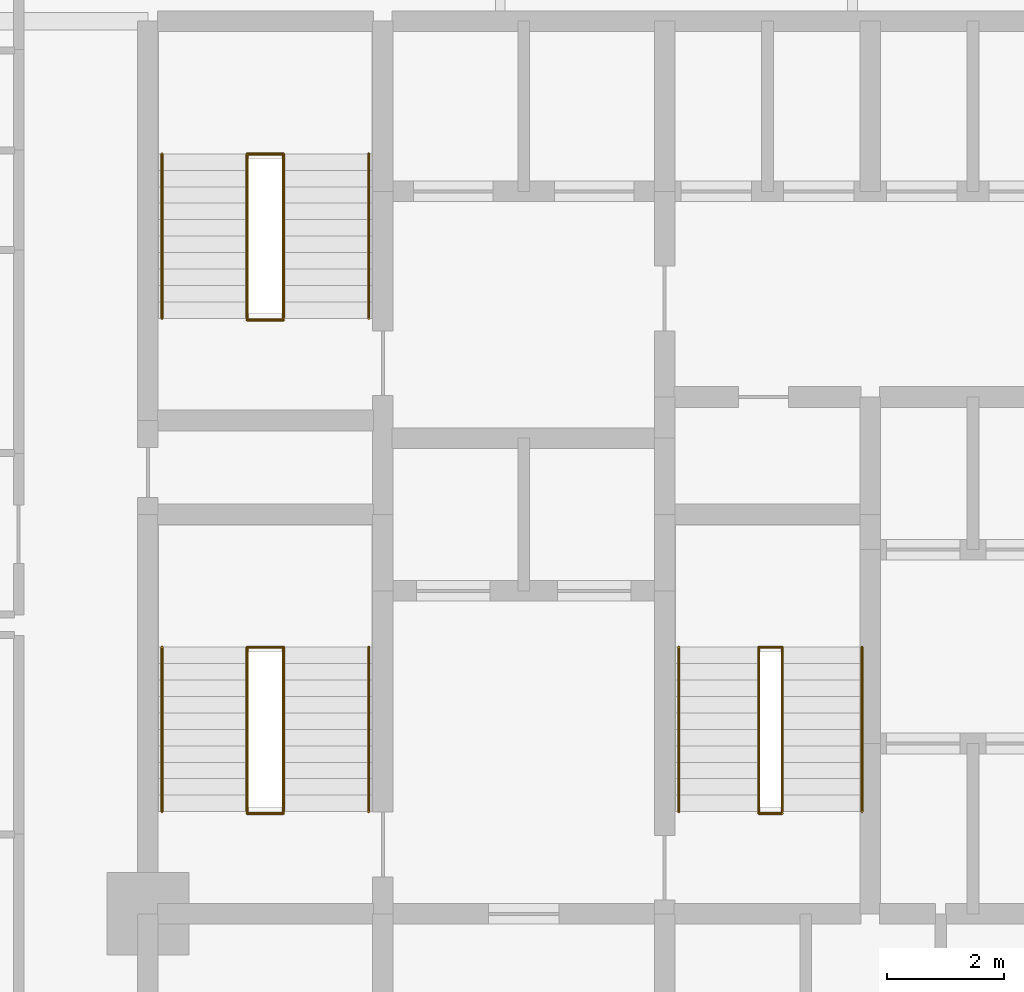
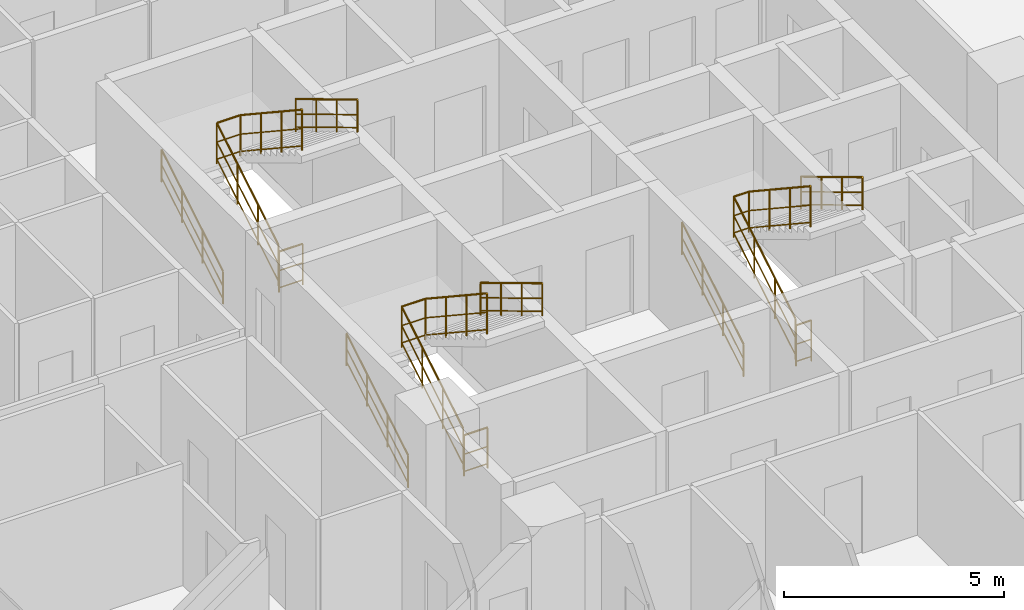
# One storey, part 33 of 33: 12 railings.
"""IFC4 building model written with IfcOpenShell, lengths in metres."""

from ifc_helpers import new_model, si_unit, direction, frame, origin, origin_2d, place, context, subcontext, project, spatial, circle, extrude, material, layer, layer_set, type_object, element, save


model = new_model("IFC4")

# Units and contexts
model_context = context("Model", 3, precision=1e-05, world=origin(), true_north=direction((0.0, 1.0)))
body_context = subcontext(model_context, "Body", "Model", "MODEL_VIEW")
ifc_project = project(units=[si_unit("LENGTHUNIT", "METRE"), si_unit("AREAUNIT", "SQUARE_METRE"), si_unit("VOLUMEUNIT", "CUBIC_METRE"), si_unit("PLANEANGLEUNIT", "RADIAN"), si_unit("MASSUNIT", "GRAM", prefix="KILO")], contexts=[model_context])

# Site, building, storey
site_placement = place(None, origin())
site = spatial("IfcSite", under=ifc_project, at=site_placement, CompositionType="ELEMENT")
building_placement = place(site_placement, origin())
building = spatial("IfcBuilding", under=site, at=building_placement, Name="Keshet Zoharim Tower", CompositionType="ELEMENT")
storey_placement = place(building_placement, frame((0.0, 0.0, 49.89990234375)))
storey = spatial("IfcBuildingStorey", under=building, at=storey_placement, Name="L11", CompositionType="ELEMENT", Elevation=49.89990234375)

# Railings
ifc_material = material(Name="Steel S355", Category="steel")
ifc_layer_1 = layer(ifc_material, 0.050048828125)
ifc_layer_set_1 = layer_set([ifc_layer_1], Name="Steel S355")
railing_type_1 = type_object("IfcRailingType", Name="RL-HND-092", PredefinedType="HANDRAIL", material=ifc_layer_set_1)
railing_1_placement = place(storey_placement, frame((15.239990234375, 24.43994140625, 0.168212890625)))
element("IfcRailing", 1, at=railing_1_placement, inside=storey, type_object=railing_type_1, Name="L11 ST-01 Flight 1 Wall Handrail", PredefinedType="HANDRAIL", context=body_context, shape_type="SweptSolid", body=[
    extrude(circle(Radius=0.02392578125, at=origin_2d()), frame((0.0, 0.0, 0.89599609375), z_axis=(0.0, 0.857242210791, 0.514913383045), x_axis=(-1.0, 0.0, 0.0)), (0.0, 0.0, 1.0), 3.266357421875),
    extrude(circle(Radius=0.01611328125, at=origin_2d()), frame((0.0, 0.0, 0.478271484375), z_axis=(0.0, 0.857242210791, 0.514913383045), x_axis=(-1.0, 0.0, 0.0)), (0.0, 0.0, 1.0), 3.266357421875),
    extrude(circle(Radius=0.01611328125, at=origin_2d()), frame((0.0, 0.0, 0.1201171875), z_axis=(0.0, 0.857242210791, 0.514913383045), x_axis=(-1.0, 0.0, 0.0)), (0.0, 0.0, 1.0), 3.266357421875),
    extrude(circle(Radius=0.02099609375, at=origin_2d()), origin(), (0.0, 0.0, 1.0), 0.871826171875),
    extrude(circle(Radius=0.02099609375, at=origin_2d()), frame((0.0, 0.933349609375, 0.560546875)), (0.0, 0.0, 1.0), 0.871826171875),
    extrude(circle(Radius=0.02099609375, at=origin_2d()), frame((0.0, 1.86669921875, 1.121337890625)), (0.0, 0.0, 1.0), 0.871826171875),
    extrude(circle(Radius=0.02099609375, at=origin_2d()), frame((0.0, 2.800048828125, 1.681884765625)), (0.0, 0.0, 1.0), 0.871826171875),
])
railing_2_placement = place(storey_placement, frame((18.760009765625, 27.239990234375, 2.018310546875)))
element("IfcRailing", 2, at=railing_2_placement, inside=storey, type_object=railing_type_1, Name="L11 ST-01 Flight 2 Wall Handrail", PredefinedType="HANDRAIL", context=body_context, shape_type="SweptSolid", body=[
    extrude(circle(Radius=0.02392578125, at=origin_2d()), frame((0.0, 0.0, 0.89599609375), z_axis=(0.0, -0.857242210791, 0.514913383045), x_axis=(1.0, 0.0, 0.0)), (0.0, 0.0, 1.0), 3.266357421875),
    extrude(circle(Radius=0.01611328125, at=origin_2d()), frame((0.0, 0.0, 0.478271484375), z_axis=(0.0, -0.857242210791, 0.514913383045), x_axis=(1.0, 0.0, 0.0)), (0.0, 0.0, 1.0), 3.266357421875),
    extrude(circle(Radius=0.01611328125, at=origin_2d()), frame((0.0, 0.0, 0.1201171875), z_axis=(0.0, -0.857242210791, 0.514913383045), x_axis=(1.0, 0.0, 0.0)), (0.0, 0.0, 1.0), 3.266357421875),
    extrude(circle(Radius=0.02099609375, at=origin_2d()), origin(), (0.0, 0.0, 1.0), 0.871826171875),
    extrude(circle(Radius=0.02099609375, at=origin_2d()), frame((0.0, -0.933349609375, 0.560546875)), (0.0, 0.0, 1.0), 0.871826171875),
    extrude(circle(Radius=0.02099609375, at=origin_2d()), frame((0.0, -1.86669921875, 1.121337890625)), (0.0, 0.0, 1.0), 0.871826171875),
    extrude(circle(Radius=0.02099609375, at=origin_2d()), frame((0.0, -2.800048828125, 1.681884765625)), (0.0, 0.0, 1.0), 0.871826171875),
])
railing_3_placement = place(storey_placement, frame((15.239990234375, 32.840087890625, 0.168212890625)))
element("IfcRailing", 3, at=railing_3_placement, inside=storey, type_object=railing_type_1, Name="L11 ST-02 Flight 1 Wall Handrail", PredefinedType="HANDRAIL", context=body_context, shape_type="SweptSolid", body=[
    extrude(circle(Radius=0.02392578125, at=origin_2d()), frame((0.0, 0.0, 0.89599609375), z_axis=(0.0, 0.857222391501, 0.514946377315), x_axis=(-1.0, 0.0, 0.0)), (0.0, 0.0, 1.0), 3.26611328125),
    extrude(circle(Radius=0.01611328125, at=origin_2d()), frame((0.0, 0.0, 0.478271484375), z_axis=(0.0, 0.857222391501, 0.514946377315), x_axis=(-1.0, 0.0, 0.0)), (0.0, 0.0, 1.0), 3.26611328125),
    extrude(circle(Radius=0.01611328125, at=origin_2d()), frame((0.0, 0.0, 0.1201171875), z_axis=(0.0, 0.857222391501, 0.514946377315), x_axis=(-1.0, 0.0, 0.0)), (0.0, 0.0, 1.0), 3.26611328125),
    extrude(circle(Radius=0.02099609375, at=origin_2d()), origin(), (0.0, 0.0, 1.0), 0.871826171875),
    extrude(circle(Radius=0.02099609375, at=origin_2d()), frame((0.0, 0.933349609375, 0.560546875)), (0.0, 0.0, 1.0), 0.871826171875),
    extrude(circle(Radius=0.02099609375, at=origin_2d()), frame((0.0, 1.866455078125, 1.121337890625)), (0.0, 0.0, 1.0), 0.871826171875),
    extrude(circle(Radius=0.02099609375, at=origin_2d()), frame((0.0, 2.7998046875, 1.681884765625)), (0.0, 0.0, 1.0), 0.871826171875),
])
railing_4_placement = place(storey_placement, frame((18.760009765625, 35.639892578125, 2.018310546875)))
element("IfcRailing", 4, at=railing_4_placement, inside=storey, type_object=railing_type_1, Name="L11 ST-02 Flight 2 Wall Handrail", PredefinedType="HANDRAIL", context=body_context, shape_type="SweptSolid", body=[
    extrude(circle(Radius=0.02392578125, at=origin_2d()), frame((0.0, 0.0, 0.89599609375), z_axis=(0.0, -0.857222391501, 0.514946377315), x_axis=(1.0, 0.0, 0.0)), (0.0, 0.0, 1.0), 3.26611328125),
    extrude(circle(Radius=0.01611328125, at=origin_2d()), frame((0.0, 0.0, 0.478271484375), z_axis=(0.0, -0.857222391501, 0.514946377315), x_axis=(1.0, 0.0, 0.0)), (0.0, 0.0, 1.0), 3.26611328125),
    extrude(circle(Radius=0.01611328125, at=origin_2d()), frame((0.0, 0.0, 0.1201171875), z_axis=(0.0, -0.857222391501, 0.514946377315), x_axis=(1.0, 0.0, 0.0)), (0.0, 0.0, 1.0), 3.26611328125),
    extrude(circle(Radius=0.02099609375, at=origin_2d()), origin(), (0.0, 0.0, 1.0), 0.871826171875),
    extrude(circle(Radius=0.02099609375, at=origin_2d()), frame((0.0, -0.933349609375, 0.560546875)), (0.0, 0.0, 1.0), 0.871826171875),
    extrude(circle(Radius=0.02099609375, at=origin_2d()), frame((0.0, -1.866455078125, 1.121337890625)), (0.0, 0.0, 1.0), 0.871826171875),
    extrude(circle(Radius=0.02099609375, at=origin_2d()), frame((0.0, -2.7998046875, 1.681884765625)), (0.0, 0.0, 1.0), 0.871826171875),
])
railing_5_placement = place(storey_placement, frame((24.0400390625, 24.43994140625, 0.168212890625)))
element("IfcRailing", 5, at=railing_5_placement, inside=storey, type_object=railing_type_1, Name="L11 ST-03 Flight 1 Wall Handrail", PredefinedType="HANDRAIL", context=body_context, shape_type="SweptSolid", body=[
    extrude(circle(Radius=0.02392578125, at=origin_2d()), frame((0.0, 0.0, 0.89599609375), z_axis=(0.0, 0.857242210791, 0.514913383045), x_axis=(-1.0, 0.0, 0.0)), (0.0, 0.0, 1.0), 3.266357421875),
    extrude(circle(Radius=0.01611328125, at=origin_2d()), frame((0.0, 0.0, 0.478271484375), z_axis=(0.0, 0.857242210791, 0.514913383045), x_axis=(-1.0, 0.0, 0.0)), (0.0, 0.0, 1.0), 3.266357421875),
    extrude(circle(Radius=0.01611328125, at=origin_2d()), frame((0.0, 0.0, 0.1201171875), z_axis=(0.0, 0.857242210791, 0.514913383045), x_axis=(-1.0, 0.0, 0.0)), (0.0, 0.0, 1.0), 3.266357421875),
    extrude(circle(Radius=0.02099609375, at=origin_2d()), origin(), (0.0, 0.0, 1.0), 0.871826171875),
    extrude(circle(Radius=0.02099609375, at=origin_2d()), frame((0.0, 0.933349609375, 0.560546875)), (0.0, 0.0, 1.0), 0.871826171875),
    extrude(circle(Radius=0.02099609375, at=origin_2d()), frame((0.0, 1.86669921875, 1.121337890625)), (0.0, 0.0, 1.0), 0.871826171875),
    extrude(circle(Radius=0.02099609375, at=origin_2d()), frame((0.0, 2.800048828125, 1.681884765625)), (0.0, 0.0, 1.0), 0.871826171875),
])
railing_6_placement = place(storey_placement, frame((27.159912109375, 27.239990234375, 2.018310546875)))
element("IfcRailing", 6, at=railing_6_placement, inside=storey, type_object=railing_type_1, Name="L11 ST-03 Flight 2 Wall Handrail", PredefinedType="HANDRAIL", context=body_context, shape_type="SweptSolid", body=[
    extrude(circle(Radius=0.02392578125, at=origin_2d()), frame((0.0, 0.0, 0.89599609375), z_axis=(0.0, -0.857242210791, 0.514913383045), x_axis=(1.0, 0.0, 0.0)), (0.0, 0.0, 1.0), 3.266357421875),
    extrude(circle(Radius=0.01611328125, at=origin_2d()), frame((0.0, 0.0, 0.478271484375), z_axis=(0.0, -0.857242210791, 0.514913383045), x_axis=(1.0, 0.0, 0.0)), (0.0, 0.0, 1.0), 3.266357421875),
    extrude(circle(Radius=0.01611328125, at=origin_2d()), frame((0.0, 0.0, 0.1201171875), z_axis=(0.0, -0.857242210791, 0.514913383045), x_axis=(1.0, 0.0, 0.0)), (0.0, 0.0, 1.0), 3.266357421875),
    extrude(circle(Radius=0.02099609375, at=origin_2d()), origin(), (0.0, 0.0, 1.0), 0.871826171875),
    extrude(circle(Radius=0.02099609375, at=origin_2d()), frame((0.0, -0.933349609375, 0.560546875)), (0.0, 0.0, 1.0), 0.871826171875),
    extrude(circle(Radius=0.02099609375, at=origin_2d()), frame((0.0, -1.86669921875, 1.121337890625)), (0.0, 0.0, 1.0), 0.871826171875),
    extrude(circle(Radius=0.02099609375, at=origin_2d()), frame((0.0, -2.800048828125, 1.681884765625)), (0.0, 0.0, 1.0), 0.871826171875),
])
ifc_layer_2 = layer(ifc_material, 0.06005859375)
ifc_layer_set_2 = layer_set([ifc_layer_2], Name="Steel S355")
railing_type_2 = type_object("IfcRailingType", Name="RL-STG-115", PredefinedType="GUARDRAIL", material=ifc_layer_set_2)
railing_7_placement = place(storey_placement, frame((16.68994140625, 24.43994140625, 0.168212890625)))
element("IfcRailing", 7, at=railing_7_placement, inside=storey, type_object=railing_type_2, Name="L11 ST-01 Inner Well Guardrail", PredefinedType="GUARDRAIL", context=body_context, shape_type="SweptSolid", body=[
    extrude(circle(Radius=0.02392578125, at=origin_2d()), frame((0.0, 0.0, 1.1259765625), z_axis=(0.0, 0.857242210791, 0.514913383045), x_axis=(-1.0, 0.0, 0.0)), (0.0, 0.0, 1.0), 3.266357421875),
    extrude(circle(Radius=0.01611328125, at=origin_2d()), frame((0.0, 0.0, 0.597900390625), z_axis=(0.0, 0.857242210791, 0.514913383045), x_axis=(-1.0, 0.0, 0.0)), (0.0, 0.0, 1.0), 3.266357421875),
    extrude(circle(Radius=0.01611328125, at=origin_2d()), frame((0.0, 0.0, 0.1201171875), z_axis=(0.0, 0.857242210791, 0.514913383045), x_axis=(-1.0, 0.0, 0.0)), (0.0, 0.0, 1.0), 3.266357421875),
    extrude(circle(Radius=0.02392578125, at=origin_2d()), frame((0.0, 2.800048828125, 2.8076171875), z_axis=(1.0, 0.0, 0.0), x_axis=(0.0, 1.0, 0.0)), (0.0, 0.0, 1.0), 0.6201171875),
    extrude(circle(Radius=0.01611328125, at=origin_2d()), frame((0.0, 2.800048828125, 2.27978515625), z_axis=(1.0, 0.0, 0.0), x_axis=(0.0, 1.0, 0.0)), (0.0, 0.0, 1.0), 0.6201171875),
    extrude(circle(Radius=0.01611328125, at=origin_2d()), frame((0.0, 2.800048828125, 1.802001953125), z_axis=(1.0, 0.0, 0.0), x_axis=(0.0, 1.0, 0.0)), (0.0, 0.0, 1.0), 0.6201171875),
    extrude(circle(Radius=0.02392578125, at=origin_2d()), frame((0.6201171875, 2.800048828125, 2.8076171875), z_axis=(0.0, -0.834326358476, 0.551270829586), x_axis=(1.0, 0.0, 0.0)), (0.0, 0.0, 1.0), 3.35595703125),
    extrude(circle(Radius=0.01611328125, at=origin_2d()), frame((0.6201171875, 2.800048828125, 2.27978515625), z_axis=(0.0, -0.834326358476, 0.551270829586), x_axis=(1.0, 0.0, 0.0)), (0.0, 0.0, 1.0), 3.35595703125),
    extrude(circle(Radius=0.01611328125, at=origin_2d()), frame((0.6201171875, 2.800048828125, 1.802001953125), z_axis=(0.0, -0.834326358476, 0.551270829586), x_axis=(1.0, 0.0, 0.0)), (0.0, 0.0, 1.0), 3.35595703125),
    extrude(circle(Radius=0.02099609375, at=origin_2d()), origin(), (0.0, 0.0, 1.0), 1.101806640625),
    extrude(circle(Radius=0.02099609375, at=origin_2d()), frame((0.0, 0.933349609375, 0.560546875)), (0.0, 0.0, 1.0), 1.101806640625),
    extrude(circle(Radius=0.02099609375, at=origin_2d()), frame((0.0, 1.86669921875, 1.121337890625)), (0.0, 0.0, 1.0), 1.101806640625),
    extrude(circle(Radius=0.02099609375, at=origin_2d()), frame((0.0, 2.800048828125, 1.681884765625)), (0.0, 0.0, 1.0), 1.101806640625),
    extrude(circle(Radius=0.02099609375, at=origin_2d()), frame((0.6201171875, 2.800048828125, 1.681884765625)), (0.0, 0.0, 1.0), 1.101806640625),
    extrude(circle(Radius=0.02099609375, at=origin_2d()), frame((0.6201171875, 1.86669921875, 2.298583984375)), (0.0, 0.0, 1.0), 1.101806640625),
    extrude(circle(Radius=0.02099609375, at=origin_2d()), frame((0.6201171875, 0.933349609375, 2.915283203125)), (0.0, 0.0, 1.0), 1.101806640625),
    extrude(circle(Radius=0.02099609375, at=origin_2d()), frame((0.6201171875, 0.0, 3.531982421875)), (0.0, 0.0, 1.0), 1.101806640625),
])
railing_8_placement = place(storey_placement, frame((16.68994140625, 24.409912109375, 0.0)))
element("IfcRailing", 8, at=railing_8_placement, inside=storey, type_object=railing_type_2, Name="L11 ST-01 Stairwell Floor Guardrail", PredefinedType="GUARDRAIL", context=body_context, shape_type="SweptSolid", body=[
    extrude(circle(Radius=0.02392578125, at=origin_2d()), frame((0.0, 0.0, 1.1259765625), z_axis=(1.0, 0.0, 0.0), x_axis=(0.0, 1.0, 0.0)), (0.0, 0.0, 1.0), 0.6201171875),
    extrude(circle(Radius=0.01611328125, at=origin_2d()), frame((0.0, 0.0, 0.597900390625), z_axis=(1.0, 0.0, 0.0), x_axis=(0.0, 1.0, 0.0)), (0.0, 0.0, 1.0), 0.6201171875),
    extrude(circle(Radius=0.01611328125, at=origin_2d()), frame((0.0, 0.0, 0.1201171875), z_axis=(1.0, 0.0, 0.0), x_axis=(0.0, 1.0, 0.0)), (0.0, 0.0, 1.0), 0.6201171875),
    extrude(circle(Radius=0.02099609375, at=origin_2d()), origin(), (0.0, 0.0, 1.0), 1.101806640625),
    extrude(circle(Radius=0.02099609375, at=origin_2d()), frame((0.6201171875, 0.0, 0.0)), (0.0, 0.0, 1.0), 1.101806640625),
])
railing_9_placement = place(storey_placement, frame((16.68994140625, 32.840087890625, 0.168212890625)))
element("IfcRailing", 9, at=railing_9_placement, inside=storey, type_object=railing_type_2, Name="L11 ST-02 Inner Well Guardrail", PredefinedType="GUARDRAIL", context=body_context, shape_type="SweptSolid", body=[
    extrude(circle(Radius=0.02392578125, at=origin_2d()), frame((0.0, 0.0, 1.1259765625), z_axis=(0.0, 0.857222391501, 0.514946377315), x_axis=(-1.0, 0.0, 0.0)), (0.0, 0.0, 1.0), 3.26611328125),
    extrude(circle(Radius=0.01611328125, at=origin_2d()), frame((0.0, 0.0, 0.597900390625), z_axis=(0.0, 0.857222391501, 0.514946377315), x_axis=(-1.0, 0.0, 0.0)), (0.0, 0.0, 1.0), 3.26611328125),
    extrude(circle(Radius=0.01611328125, at=origin_2d()), frame((0.0, 0.0, 0.1201171875), z_axis=(0.0, 0.857222391501, 0.514946377315), x_axis=(-1.0, 0.0, 0.0)), (0.0, 0.0, 1.0), 3.26611328125),
    extrude(circle(Radius=0.02392578125, at=origin_2d()), frame((0.0, 2.7998046875, 2.8076171875), z_axis=(1.0, 0.0, 0.0), x_axis=(0.0, 1.0, 0.0)), (0.0, 0.0, 1.0), 0.6201171875),
    extrude(circle(Radius=0.01611328125, at=origin_2d()), frame((0.0, 2.7998046875, 2.27978515625), z_axis=(1.0, 0.0, 0.0), x_axis=(0.0, 1.0, 0.0)), (0.0, 0.0, 1.0), 0.6201171875),
    extrude(circle(Radius=0.01611328125, at=origin_2d()), frame((0.0, 2.7998046875, 1.802001953125), z_axis=(1.0, 0.0, 0.0), x_axis=(0.0, 1.0, 0.0)), (0.0, 0.0, 1.0), 0.6201171875),
    extrude(circle(Radius=0.02392578125, at=origin_2d()), frame((0.6201171875, 2.7998046875, 2.8076171875), z_axis=(0.0, -0.834304248922, 0.551304290053), x_axis=(1.0, 0.0, 0.0)), (0.0, 0.0, 1.0), 3.35595703125),
    extrude(circle(Radius=0.01611328125, at=origin_2d()), frame((0.6201171875, 2.7998046875, 2.27978515625), z_axis=(0.0, -0.834304248922, 0.551304290053), x_axis=(1.0, 0.0, 0.0)), (0.0, 0.0, 1.0), 3.35595703125),
    extrude(circle(Radius=0.01611328125, at=origin_2d()), frame((0.6201171875, 2.7998046875, 1.802001953125), z_axis=(0.0, -0.834304248922, 0.551304290053), x_axis=(1.0, 0.0, 0.0)), (0.0, 0.0, 1.0), 3.35595703125),
    extrude(circle(Radius=0.02099609375, at=origin_2d()), origin(), (0.0, 0.0, 1.0), 1.101806640625),
    extrude(circle(Radius=0.02099609375, at=origin_2d()), frame((0.0, 0.933349609375, 0.560546875)), (0.0, 0.0, 1.0), 1.101806640625),
    extrude(circle(Radius=0.02099609375, at=origin_2d()), frame((0.0, 1.866455078125, 1.121337890625)), (0.0, 0.0, 1.0), 1.101806640625),
    extrude(circle(Radius=0.02099609375, at=origin_2d()), frame((0.0, 2.7998046875, 1.681884765625)), (0.0, 0.0, 1.0), 1.101806640625),
    extrude(circle(Radius=0.02099609375, at=origin_2d()), frame((0.6201171875, 2.7998046875, 1.681884765625)), (0.0, 0.0, 1.0), 1.101806640625),
    extrude(circle(Radius=0.02099609375, at=origin_2d()), frame((0.6201171875, 1.866455078125, 2.298583984375)), (0.0, 0.0, 1.0), 1.101806640625),
    extrude(circle(Radius=0.02099609375, at=origin_2d()), frame((0.6201171875, 0.933349609375, 2.915283203125)), (0.0, 0.0, 1.0), 1.101806640625),
    extrude(circle(Radius=0.02099609375, at=origin_2d()), frame((0.6201171875, 0.0, 3.531982421875)), (0.0, 0.0, 1.0), 1.101806640625),
])
railing_10_placement = place(storey_placement, frame((16.68994140625, 32.81005859375, 0.0)))
element("IfcRailing", 10, at=railing_10_placement, inside=storey, type_object=railing_type_2, Name="L11 ST-02 Stairwell Floor Guardrail", PredefinedType="GUARDRAIL", context=body_context, shape_type="SweptSolid", body=[
    extrude(circle(Radius=0.02392578125, at=origin_2d()), frame((0.0, 0.0, 1.1259765625), z_axis=(1.0, 0.0, 0.0), x_axis=(0.0, 1.0, 0.0)), (0.0, 0.0, 1.0), 0.6201171875),
    extrude(circle(Radius=0.01611328125, at=origin_2d()), frame((0.0, 0.0, 0.597900390625), z_axis=(1.0, 0.0, 0.0), x_axis=(0.0, 1.0, 0.0)), (0.0, 0.0, 1.0), 0.6201171875),
    extrude(circle(Radius=0.01611328125, at=origin_2d()), frame((0.0, 0.0, 0.1201171875), z_axis=(1.0, 0.0, 0.0), x_axis=(0.0, 1.0, 0.0)), (0.0, 0.0, 1.0), 0.6201171875),
    extrude(circle(Radius=0.02099609375, at=origin_2d()), origin(), (0.0, 0.0, 1.0), 1.101806640625),
    extrude(circle(Radius=0.02099609375, at=origin_2d()), frame((0.6201171875, 0.0, 0.0)), (0.0, 0.0, 1.0), 1.101806640625),
])
railing_11_placement = place(storey_placement, frame((25.39990234375, 24.43994140625, 0.168212890625)))
element("IfcRailing", 11, at=railing_11_placement, inside=storey, type_object=railing_type_2, Name="L11 ST-03 Inner Well Guardrail", PredefinedType="GUARDRAIL", context=body_context, shape_type="SweptSolid", body=[
    extrude(circle(Radius=0.02392578125, at=origin_2d()), frame((0.0, 0.0, 1.1259765625), z_axis=(0.0, 0.857242210791, 0.514913383045), x_axis=(-1.0, 0.0, 0.0)), (0.0, 0.0, 1.0), 3.266357421875),
    extrude(circle(Radius=0.01611328125, at=origin_2d()), frame((0.0, 0.0, 0.597900390625), z_axis=(0.0, 0.857242210791, 0.514913383045), x_axis=(-1.0, 0.0, 0.0)), (0.0, 0.0, 1.0), 3.266357421875),
    extrude(circle(Radius=0.01611328125, at=origin_2d()), frame((0.0, 0.0, 0.1201171875), z_axis=(0.0, 0.857242210791, 0.514913383045), x_axis=(-1.0, 0.0, 0.0)), (0.0, 0.0, 1.0), 3.266357421875),
    extrude(circle(Radius=0.02392578125, at=origin_2d()), frame((0.0, 2.800048828125, 2.8076171875), z_axis=(1.0, 0.0, 0.0), x_axis=(0.0, 1.0, 0.0)), (0.0, 0.0, 1.0), 0.400146484375),
    extrude(circle(Radius=0.01611328125, at=origin_2d()), frame((0.0, 2.800048828125, 2.27978515625), z_axis=(1.0, 0.0, 0.0), x_axis=(0.0, 1.0, 0.0)), (0.0, 0.0, 1.0), 0.400146484375),
    extrude(circle(Radius=0.01611328125, at=origin_2d()), frame((0.0, 2.800048828125, 1.802001953125), z_axis=(1.0, 0.0, 0.0), x_axis=(0.0, 1.0, 0.0)), (0.0, 0.0, 1.0), 0.400146484375),
    extrude(circle(Radius=0.02392578125, at=origin_2d()), frame((0.400146484375, 2.800048828125, 2.8076171875), z_axis=(0.0, -0.834326358476, 0.551270829586), x_axis=(1.0, 0.0, 0.0)), (0.0, 0.0, 1.0), 3.35595703125),
    extrude(circle(Radius=0.01611328125, at=origin_2d()), frame((0.400146484375, 2.800048828125, 2.27978515625), z_axis=(0.0, -0.834326358476, 0.551270829586), x_axis=(1.0, 0.0, 0.0)), (0.0, 0.0, 1.0), 3.35595703125),
    extrude(circle(Radius=0.01611328125, at=origin_2d()), frame((0.400146484375, 2.800048828125, 1.802001953125), z_axis=(0.0, -0.834326358476, 0.551270829586), x_axis=(1.0, 0.0, 0.0)), (0.0, 0.0, 1.0), 3.35595703125),
    extrude(circle(Radius=0.02099609375, at=origin_2d()), origin(), (0.0, 0.0, 1.0), 1.101806640625),
    extrude(circle(Radius=0.02099609375, at=origin_2d()), frame((0.0, 0.933349609375, 0.560546875)), (0.0, 0.0, 1.0), 1.101806640625),
    extrude(circle(Radius=0.02099609375, at=origin_2d()), frame((0.0, 1.86669921875, 1.121337890625)), (0.0, 0.0, 1.0), 1.101806640625),
    extrude(circle(Radius=0.02099609375, at=origin_2d()), frame((0.0, 2.800048828125, 1.681884765625)), (0.0, 0.0, 1.0), 1.101806640625),
    extrude(circle(Radius=0.02099609375, at=origin_2d()), frame((0.400146484375, 2.800048828125, 1.681884765625)), (0.0, 0.0, 1.0), 1.101806640625),
    extrude(circle(Radius=0.02099609375, at=origin_2d()), frame((0.400146484375, 1.86669921875, 2.298583984375)), (0.0, 0.0, 1.0), 1.101806640625),
    extrude(circle(Radius=0.02099609375, at=origin_2d()), frame((0.400146484375, 0.933349609375, 2.915283203125)), (0.0, 0.0, 1.0), 1.101806640625),
    extrude(circle(Radius=0.02099609375, at=origin_2d()), frame((0.400146484375, 0.0, 3.531982421875)), (0.0, 0.0, 1.0), 1.101806640625),
])
railing_12_placement = place(storey_placement, frame((25.39990234375, 24.409912109375, 0.0)))
element("IfcRailing", 12, at=railing_12_placement, inside=storey, type_object=railing_type_2, Name="L11 ST-03 Stairwell Floor Guardrail", PredefinedType="GUARDRAIL", context=body_context, shape_type="SweptSolid", body=[
    extrude(circle(Radius=0.02392578125, at=origin_2d()), frame((0.0, 0.0, 1.1259765625), z_axis=(1.0, 0.0, 0.0), x_axis=(0.0, 1.0, 0.0)), (0.0, 0.0, 1.0), 0.400146484375),
    extrude(circle(Radius=0.01611328125, at=origin_2d()), frame((0.0, 0.0, 0.597900390625), z_axis=(1.0, 0.0, 0.0), x_axis=(0.0, 1.0, 0.0)), (0.0, 0.0, 1.0), 0.400146484375),
    extrude(circle(Radius=0.01611328125, at=origin_2d()), frame((0.0, 0.0, 0.1201171875), z_axis=(1.0, 0.0, 0.0), x_axis=(0.0, 1.0, 0.0)), (0.0, 0.0, 1.0), 0.400146484375),
    extrude(circle(Radius=0.02099609375, at=origin_2d()), origin(), (0.0, 0.0, 1.0), 1.101806640625),
    extrude(circle(Radius=0.02099609375, at=origin_2d()), frame((0.400146484375, 0.0, 0.0)), (0.0, 0.0, 1.0), 1.101806640625),
])

save(model, "model.ifc")
